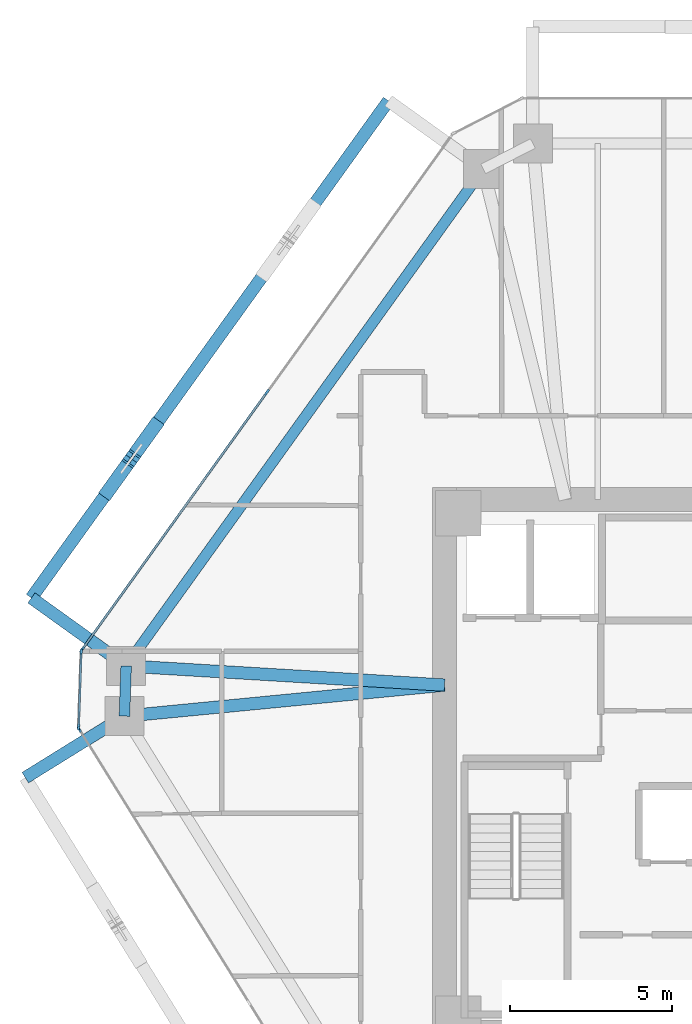
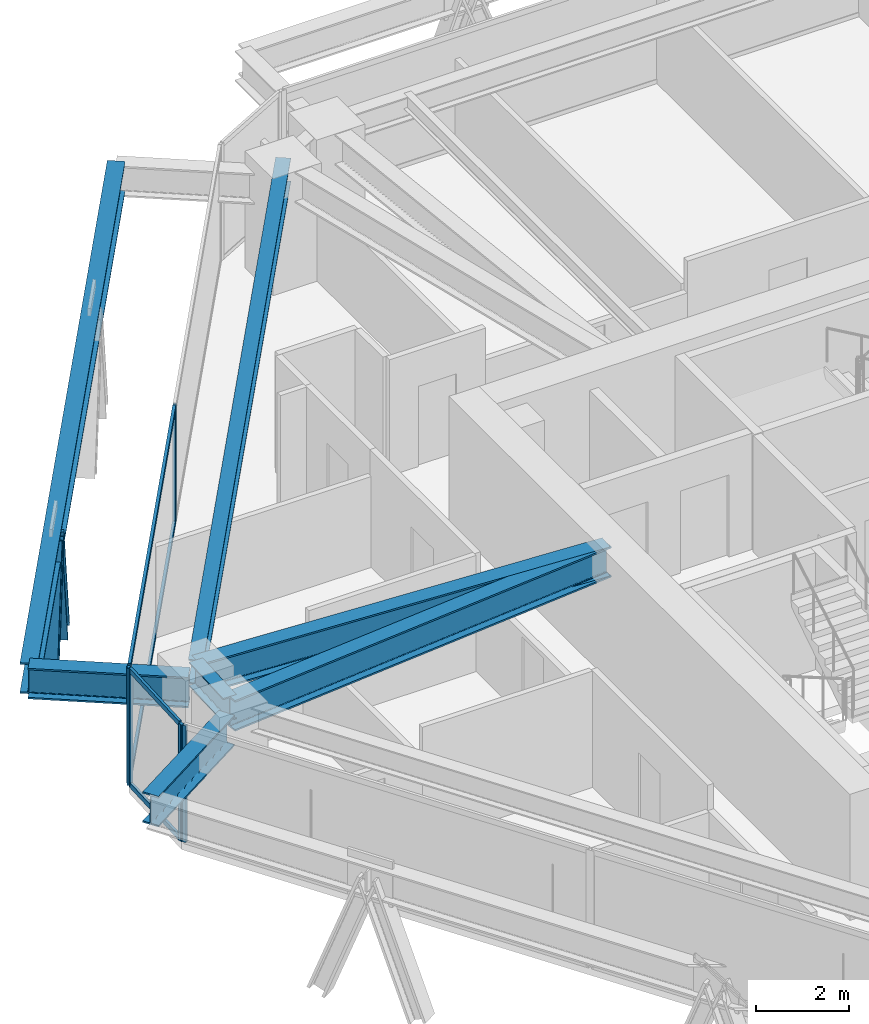
# One storey, part 4 of 16: 11 members, 7 beams, 3 elements without a shape of their own.
"""IFC4 building model written with IfcOpenShell, lengths in metres."""

import ifcopenshell
import ifcopenshell.guid

model = None  # the IFC model being written
_history = None  # IfcOwnerHistory: only IFC2X3 demands one
_inside = {}  # id of a spatial element -> (the spatial element, [elements in it])
_under = {}  # id of a project, library or spatial element -> (it, [spatial elements below it])
_declared = {}  # id of a project -> (the project, [libraries it declares])
_typed = {}  # id of a type object -> (the type object, [elements of that type])
_made_of = {}  # id of a material, layer set ... -> (it, [elements and type objects made of it])


def new_model(schema):
    """Start an empty IFC model of exactly this schema.

    Asked for "IFC4X3", IfcOpenShell would pick the latest addendum, in which some entities
    have other attributes; the version numbers below select the first issue.
    IFC2X3 requires an IfcOwnerHistory on every rooted entity: one is made here for all.
    """
    global model, _history
    if schema == "IFC4X3":
        model = ifcopenshell.file(schema_version=(4, 3, 0, 0))
    else:
        model = ifcopenshell.file(schema=schema)
    _inside.clear()
    _under.clear()
    _declared.clear()
    _typed.clear()
    _made_of.clear()
    _history = None
    if model.schema == "IFC2X3":
        org = make("IfcOrganization", Name="unknown")
        user = make(
            "IfcPersonAndOrganization",
            ThePerson=make("IfcPerson", FamilyName="unknown"),
            TheOrganization=org,
        )
        app = make(
            "IfcApplication",
            ApplicationDeveloper=org,
            Version="unknown",
            ApplicationFullName="unknown",
            ApplicationIdentifier="unknown",
        )
        _history = make(
            "IfcOwnerHistory",
            OwningUser=user,
            OwningApplication=app,
            ChangeAction="ADDED",
            CreationDate=0,
        )
    return model


def make(cls, **values):
    """One entity of the class cls with the attributes given. An attribute that is None is left unset."""
    return model.create_entity(
        cls, **{name: value for name, value in values.items() if value is not None}
    )


def rooted(cls, **values):
    """An entity with a GlobalId (a new one), such as an element, a storey or a relation."""
    return make(cls, GlobalId=ifcopenshell.guid.new(), OwnerHistory=_history, **values)


def si_unit(unit_type, name, prefix=None):
    """IfcSIUnit, for example si_unit("LENGTHUNIT", "METRE", prefix="MILLI")."""
    return make("IfcSIUnit", UnitType=unit_type, Prefix=prefix, Name=name)


def assignment(units):
    """IfcUnitAssignment: the units of a project."""
    return None if units is None else make("IfcUnitAssignment", Units=units)


def point(xyz):
    """IfcCartesianPoint."""
    return None if xyz is None else make("IfcCartesianPoint", Coordinates=xyz)


def direction(xyz):
    """IfcDirection."""
    return None if xyz is None else make("IfcDirection", DirectionRatios=xyz)


def frame(location, z_axis=None, x_axis=None):
    """IfcAxis2Placement3D, a coordinate frame: its origin and axes. An axis left out is left unset."""
    return make(
        "IfcAxis2Placement3D",
        Location=point(location),
        Axis=direction(z_axis),
        RefDirection=direction(x_axis),
    )


def frame_2d(location, x_axis=None):
    """IfcAxis2Placement2D, a coordinate frame in the plane: its origin and x axis."""
    return make(
        "IfcAxis2Placement2D", Location=point(location), RefDirection=direction(x_axis)
    )


def origin():
    """The frame at (0, 0, 0) with its axes left unset."""
    return frame((0.0, 0.0, 0.0))


def origin_2d():
    """The frame at (0, 0) in the plane with its x axis left unset."""
    return frame_2d((0.0, 0.0))


def place(relative_to, where):
    """IfcLocalPlacement: puts the frame where relative to a parent placement (None: the world)."""
    return make(
        "IfcLocalPlacement", PlacementRelTo=relative_to, RelativePlacement=where
    )


def context(
    kind, dimensions, precision=None, world=None, true_north=None, identifier=None
):
    """IfcGeometricRepresentationContext, for example the 3D "Model" context."""
    return make(
        "IfcGeometricRepresentationContext",
        ContextIdentifier=identifier,
        ContextType=kind,
        CoordinateSpaceDimension=dimensions,
        Precision=precision,
        WorldCoordinateSystem=world,
        TrueNorth=true_north,
    )


def subcontext(parent, identifier, kind, view, scale=None):
    """IfcGeometricRepresentationSubContext, for example "Body" below "Model"."""
    return make(
        "IfcGeometricRepresentationSubContext",
        ContextIdentifier=identifier,
        ContextType=kind,
        ParentContext=parent,
        TargetScale=scale,
        TargetView=view,
    )


def project(units=None, contexts=None):
    """IfcProject with its units and contexts."""
    return rooted(
        "IfcProject",
        Name="project",
        RepresentationContexts=contexts,
        UnitsInContext=assignment(units),
    )


def spatial(cls, under=None, at=None, **own):
    """A site, building, storey or space (cls), placed at a placement, below another one or the project."""
    s = rooted(cls, ObjectPlacement=at, **own)
    if under is not None:
        _under.setdefault(under.id(), (under, []))[1].append(s)
    return s


def profile(cls, at=None, kind="AREA", **sizes):
    """A parametric profile (cls). Its sizes go by their IFC names, for example OverallWidth=200.0."""
    return make(cls, ProfileType=kind, Position=at, **sizes)


def rectangle(**sizes):
    """IfcRectangleProfileDef."""
    return profile("IfcRectangleProfileDef", **sizes)


def i_section(**sizes):
    """IfcIShapeProfileDef."""
    return profile("IfcIShapeProfileDef", **sizes)


def extrude(swept, where, along, depth):
    """IfcExtrudedAreaSolid: the profile swept, set in the frame where, extruded along a direction by depth."""
    return make(
        "IfcExtrudedAreaSolid",
        SweptArea=swept,
        Position=where,
        ExtrudedDirection=direction(along),
        Depth=depth,
    )


def shape(context_of_items, identifier, shape_type, items):
    """IfcShapeRepresentation: the items that make up one representation, for example the "Body"."""
    return make(
        "IfcShapeRepresentation",
        ContextOfItems=context_of_items,
        RepresentationIdentifier=identifier,
        RepresentationType=shape_type,
        Items=items,
    )


def source(mapping_origin, context_of_items, identifier, shape_type, items):
    """IfcRepresentationMap: a shape defined once, which mapped items show again and again."""
    return make(
        "IfcRepresentationMap",
        MappingOrigin=mapping_origin,
        MappedRepresentation=shape(context_of_items, identifier, shape_type, items),
    )


def transform(
    local_origin,
    x_axis=None,
    y_axis=None,
    z_axis=None,
    scale=None,
    scale2=None,
    scale3=None,
    uniform=True,
):
    """IfcCartesianTransformationOperator3D, or its non-uniform kind. x_axis, y_axis, z_axis: its Axis1, 2, 3."""
    if uniform:
        return make(
            "IfcCartesianTransformationOperator3D",
            Axis1=direction(x_axis),
            Axis2=direction(y_axis),
            LocalOrigin=point(local_origin),
            Scale=scale,
            Axis3=direction(z_axis),
        )
    return make(
        "IfcCartesianTransformationOperator3DnonUniform",
        Axis1=direction(x_axis),
        Axis2=direction(y_axis),
        LocalOrigin=point(local_origin),
        Scale=scale,
        Axis3=direction(z_axis),
        Scale2=scale2,
        Scale3=scale3,
    )


def mapped(mapping_source, mapping_target):
    """IfcMappedItem: shows the shape of a source again, moved by a transform."""
    return make(
        "IfcMappedItem", MappingSource=mapping_source, MappingTarget=mapping_target
    )


def material(Name=None, Category=None):
    """IfcMaterial."""
    return make("IfcMaterial", Name=Name, Category=Category)


def layer(
    of_material, thickness, ventilated=None, Name=None, Category=None, Priority=None
):
    """IfcMaterialLayer: one layer of a wall or slab, of a material (None: an air gap)."""
    return make(
        "IfcMaterialLayer",
        Material=of_material,
        LayerThickness=thickness,
        IsVentilated=ventilated,
        Name=Name,
        Category=Category,
        Priority=Priority,
    )


def layer_set(layers, Name=None):
    """IfcMaterialLayerSet."""
    return make("IfcMaterialLayerSet", MaterialLayers=layers, LayerSetName=Name)


def material_profile(
    of_material, cross_section, Name=None, Category=None, Priority=None
):
    """IfcMaterialProfile: a cross section and its material."""
    return make(
        "IfcMaterialProfile",
        Name=Name,
        Material=of_material,
        Profile=cross_section,
        Priority=Priority,
        Category=Category,
    )


def profile_set(profiles, Name=None, composite=None):
    """IfcMaterialProfileSet."""
    return make(
        "IfcMaterialProfileSet",
        Name=Name,
        MaterialProfiles=profiles,
        CompositeProfile=composite,
    )


def made_of(thing, what):
    """Note that an element or type object is made of a material, layer set ...; save() writes the relation."""
    if what is not None:
        _made_of.setdefault(what.id(), (what, []))[1].append(thing)
    return thing


def type_object(cls, material=None, **own):
    """A type object (cls), such as IfcWallType, which elements share."""
    return made_of(rooted(cls, **own), material)


def type_shapes(of_type, sources):
    """Give a type object the sources (RepresentationMaps) that its elements show as mapped items."""
    of_type.RepresentationMaps = sources


def element(
    cls,
    number,
    at=None,
    inside=None,
    cuts=None,
    type_object=None,
    material=None,
    context=None,
    identifier="Body",
    shape_type=None,
    held_by="IfcProductDefinitionShape",
    body=None,
    shapes=None,
    **own,
):
    """One element of the class cls, such as IfcWall. Its Tag is "e" and its number.

    at: its placement. inside: the storey or other place that contains it. cuts: it is an
    opening in that element (IfcRelVoidsElement). A single representation is given by context,
    identifier, shape_type and body (its items); several are given by shapes. held_by: the class
    of the entity that holds the representations. save() writes the other relations.
    """
    e = rooted(cls, Tag="e%d" % number, ObjectPlacement=at, **own)
    if body is not None:
        shapes = [shape(context, identifier, shape_type, body)]
    if shapes is not None:
        e.Representation = make(held_by, Representations=shapes)
    if inside is not None:
        _inside.setdefault(inside.id(), (inside, []))[1].append(e)
    if cuts is not None:
        rooted(
            "IfcRelVoidsElement", RelatingBuildingElement=cuts, RelatedOpeningElement=e
        )
    if type_object is not None:
        _typed.setdefault(type_object.id(), (type_object, []))[1].append(e)
    return made_of(e, material)


def aggregate(whole, parts):
    """IfcRelAggregates: a whole, such as a stair, and the parts it consists of."""
    return rooted("IfcRelAggregates", RelatingObject=whole, RelatedObjects=parts)


def save(model, path):
    """Write the relations noted so far, then the file.

    IfcRelAggregates (storeys below a building ...), IfcRelContainedInSpatialStructure (elements
    in a storey), IfcRelDefinesByType, IfcRelAssociatesMaterial and IfcRelDeclares: one each for
    every whole, place, type object, material and project.
    """
    for whole, parts in _under.values():
        aggregate(whole, parts)
    for where, things in _inside.values():
        rooted(
            "IfcRelContainedInSpatialStructure",
            RelatedElements=things,
            RelatingStructure=where,
        )
    for kind, things in _typed.values():
        rooted("IfcRelDefinesByType", RelatedObjects=things, RelatingType=kind)
    for what, things in _made_of.values():
        rooted("IfcRelAssociatesMaterial", RelatedObjects=things, RelatingMaterial=what)
    for by, libraries in _declared.values():
        rooted("IfcRelDeclares", RelatingContext=by, RelatedDefinitions=libraries)
    model.write(path)


model = new_model("IFC4")

# Units and contexts
model_context = context("Model", 3, precision=1e-05, world=origin(), true_north=direction((0.0, 1.0)))
body_context = subcontext(model_context, "Body", "Model", "MODEL_VIEW")
ifc_project = project(units=[si_unit("LENGTHUNIT", "METRE"), si_unit("AREAUNIT", "SQUARE_METRE"), si_unit("VOLUMEUNIT", "CUBIC_METRE"), si_unit("PLANEANGLEUNIT", "RADIAN"), si_unit("MASSUNIT", "GRAM", prefix="KILO")], contexts=[model_context])

# Site, building, storey
site_placement = place(None, origin())
site = spatial("IfcSite", under=ifc_project, at=site_placement, CompositionType="ELEMENT")
building_placement = place(site_placement, origin())
building = spatial("IfcBuilding", under=site, at=building_placement, Name="Durnholm Broadcast Tower", CompositionType="ELEMENT")
storey_placement = place(building_placement, frame((0.0, 0.0, 130.5)))
storey = spatial("IfcBuildingStorey", under=building, at=storey_placement, Name="L35", CompositionType="ELEMENT", Elevation=130.5)

# Beams
ifc_material_1 = material(Name="Steel ASTM A992 Grade 50", Category="steel")
ifc_material_profile_1 = material_profile(ifc_material_1, i_section(OverallWidth=0.385009765625, OverallDepth=0.802978515625, WebThickness=0.023681640625, FlangeThickness=0.0419921875, FilletRadius=0.032958984375, at=origin_2d()), Name="W30X261")
ifc_profile_set_1 = profile_set([ifc_material_profile_1], Name="Steel ASTM A992 Grade 50")
beam_type_1 = type_object("IfcBeamType", Name="BM-EXO-TIE", PredefinedType="USERDEFINED", material=ifc_profile_set_1)
shared_shape_1 = source(origin(), body_context, "Body", "SweptSolid", [
    extrude(i_section(OverallWidth=0.385009765625, OverallDepth=0.802978515625, WebThickness=0.023681640625, FlangeThickness=0.0419921875, FilletRadius=0.032958984375, at=origin_2d()), origin(), (0.0, 0.0, 1.0), 3.4560546875),
])
for number, where, z_axis, x_axis, name in (
    (1, (-20.1669921875, 3.175048828125, 2.30859375), (-0.812164951739, 0.583427880005, 0.0), (-0.583427880005, -0.812164951739, 0.0), "L35 exoskeleton stand-off tie bracket F5.2"),
    (2, (-20.22509765625, 1.465576171875, 2.30859375), (-0.849795112316, -0.527113144481, 0.0), (0.527113144481, -0.849795112316, 0.0), "L35 exoskeleton stand-off tie bracket F6.1"),
):
    element("IfcBeam", number, at=place(storey_placement, frame(where, z_axis=z_axis, x_axis=x_axis)), inside=storey, type_object=beam_type_1, Name=name, ObjectType="GIRDER", PredefinedType="USERDEFINED", context=body_context, shape_type="MappedRepresentation", body=[
        mapped(shared_shape_1, transform((0.0, 0.0, 0.0), x_axis=(1.0, 0.0, 0.0), y_axis=(0.0, 1.0, 0.0), z_axis=(0.0, 0.0, 1.0), scale=1.0)),
    ])
ifc_material_profile_2 = material_profile(ifc_material_1, i_section(OverallWidth=0.3291015625, OverallDepth=0.635009765625, WebThickness=0.017822265625, FlangeThickness=0.031005859375, FilletRadius=0.02783203125, at=origin_2d()), Name="W24X162")
ifc_profile_set_2 = profile_set([ifc_material_profile_2], Name="Steel ASTM A992 Grade 50")
beam_type_2 = type_object("IfcBeamType", Name="STL-SP-W24X162", PredefinedType="SPANDREL", material=ifc_profile_set_2)
shared_shape_2 = source(origin(), body_context, "Body", "SweptSolid", [
    extrude(i_section(OverallWidth=0.3291015625, OverallDepth=0.635009765625, WebThickness=0.017822265625, FlangeThickness=0.031005859375, FilletRadius=0.02783203125, at=origin_2d()), origin(), (0.0, 0.0, 1.0), 1.550537109375),
])
beam_1_placement = place(storey_placement, frame((-20.102783203125, 1.54150390625, 2.7275390625), z_axis=(0.034012135923, 0.999421419928, 0.0), x_axis=(-0.999421419928, 0.034012135923, 0.0)))
element("IfcBeam", 3, at=beam_1_placement, inside=storey, type_object=beam_type_2, Name="L35 perimeter spandrel girder 02", PredefinedType="SPANDREL", context=body_context, shape_type="MappedRepresentation", body=[
    mapped(shared_shape_2, transform((0.0, 0.0, 0.0), x_axis=(1.0, 0.0, 0.0), y_axis=(0.0, 1.0, 0.0), z_axis=(0.0, 0.0, 1.0), scale=1.0)),
])
shared_shape_3 = source(origin(), body_context, "Body", "SweptSolid", [
    extrude(i_section(OverallWidth=0.3291015625, OverallDepth=0.635009765625, WebThickness=0.017822265625, FlangeThickness=0.031005859375, FilletRadius=0.02783203125, at=origin_2d()), origin(), (0.0, 0.0, 1.0), 18.884521484375),
])
type_shapes(beam_type_2, [shared_shape_2, shared_shape_3])
beam_2_placement = place(storey_placement, frame((-20.050048828125, 3.091064453125, 2.7275390625), z_axis=(0.583443434414, 0.812153777827, 0.0), x_axis=(-0.812153777827, 0.583443434414, 0.0)))
element("IfcBeam", 4, at=beam_2_placement, inside=storey, type_object=beam_type_2, Name="L35 perimeter spandrel girder 03", PredefinedType="SPANDREL", context=body_context, shape_type="MappedRepresentation", body=[
    mapped(shared_shape_3, transform((0.0, 0.0, 0.0), x_axis=(1.0, 0.0, 0.0), y_axis=(0.0, 1.0, 0.0), z_axis=(0.0, 0.0, 1.0), scale=1.0)),
])
ifc_material_profile_3 = material_profile(ifc_material_1, i_section(OverallWidth=0.385009765625, OverallDepth=0.802978515625, WebThickness=0.023681640625, FlangeThickness=0.0419921875, FilletRadius=0.032958984375, at=origin_2d()), Name="W30X261")
ifc_profile_set_3 = profile_set([ifc_material_profile_3], Name="Steel ASTM A992 Grade 50")
beam_type_3 = type_object("IfcBeamType", Name="STL-GR-W30X261", PredefinedType="USERDEFINED", material=ifc_profile_set_3)
shared_shape_4 = source(origin(), body_context, "Body", "SweptSolid", [
    extrude(i_section(OverallWidth=0.385009765625, OverallDepth=0.802978515625, WebThickness=0.023681640625, FlangeThickness=0.0419921875, FilletRadius=0.032958984375, at=origin_2d()), origin(), (0.0, 0.0, 1.0), 9.924072265625),
])
beam_3_placement = place(storey_placement, frame((-10.22509765625, 2.5, 2.6435546875), z_axis=(-0.995324947968, -0.096582855378, 0.0), x_axis=(0.096582855378, -0.995324947968, 0.0)))
element("IfcBeam", 5, at=beam_3_placement, inside=storey, type_object=beam_type_3, Name="L35 radial primary floor girder 02", ObjectType="GIRDER", PredefinedType="USERDEFINED", context=body_context, shape_type="MappedRepresentation", body=[
    mapped(shared_shape_4, transform((0.0, 0.0, 0.0), x_axis=(1.0, 0.0, 0.0), y_axis=(0.0, 1.0, 0.0), z_axis=(0.0, 0.0, 1.0), scale=1.0)),
])
shared_shape_5 = source(origin(), body_context, "Body", "SweptSolid", [
    extrude(i_section(OverallWidth=0.385009765625, OverallDepth=0.802978515625, WebThickness=0.023681640625, FlangeThickness=0.0419921875, FilletRadius=0.032958984375, at=origin_2d()), origin(), (0.0, 0.0, 1.0), 9.8427734375),
])
type_shapes(beam_type_3, [shared_shape_4, shared_shape_5])
beam_4_placement = place(storey_placement, frame((-10.22509765625, 2.5, 2.6435546875), z_axis=(-0.998195312551, 0.0600509617, 0.0), x_axis=(-0.0600509617, -0.998195312551, 0.0)))
element("IfcBeam", 6, at=beam_4_placement, inside=storey, type_object=beam_type_3, Name="L35 radial primary floor girder 03", ObjectType="GIRDER", PredefinedType="USERDEFINED", context=body_context, shape_type="MappedRepresentation", body=[
    mapped(shared_shape_5, transform((0.0, 0.0, 0.0), x_axis=(1.0, 0.0, 0.0), y_axis=(0.0, 1.0, 0.0), z_axis=(0.0, 0.0, 1.0), scale=1.0)),
])
shared_shape_6 = source(origin(), body_context, "Body", "SweptSolid", [
    extrude(i_section(OverallWidth=0.385009765625, OverallDepth=0.802978515625, WebThickness=0.023681640625, FlangeThickness=0.0419921875, FilletRadius=0.032958984375, at=origin_2d()), origin(), (0.0, 0.0, 1.0), 18.884765625),
])
type_shapes(beam_type_1, [shared_shape_1, shared_shape_6])
beam_5_placement = place(storey_placement, frame((-11.955810546875, 20.52880859375, 2.30859375), z_axis=(-0.583437308554, -0.812158178551, 0.0), x_axis=(0.812158178551, -0.583437308554, 0.0)))
element("IfcBeam", 7, at=beam_5_placement, inside=storey, type_object=beam_type_1, Name="L35 exoskeleton collector spandrel F5", PredefinedType="SPANDREL", context=body_context, shape_type="MappedRepresentation", body=[
    mapped(shared_shape_6, transform((0.0, 0.0, 0.0), x_axis=(1.0, 0.0, 0.0), y_axis=(0.0, 1.0, 0.0), z_axis=(0.0, 0.0, 1.0), scale=1.0)),
])

# Members
ifc_material_2 = material(Name="Steel ASTM A913 Grade 65", Category="steel")
ifc_material_profile_4 = material_profile(ifc_material_2, i_section(OverallWidth=0.41845703125, OverallDepth=0.455078125, WebThickness=0.0419921875, FlangeThickness=0.067626953125, FilletRadius=0.030517578125, at=origin_2d()), Name="W14X370")
ifc_profile_set_4 = profile_set([ifc_material_profile_4], Name="Steel ASTM A913 Grade 65")
member_type_1 = type_object("IfcMemberType", Name="STL-DG-W14X370", PredefinedType="BRACE", material=ifc_profile_set_4)
shared_shape_7 = source(origin(), body_context, "Body", "SweptSolid", [
    extrude(i_section(OverallWidth=0.41845703125, OverallDepth=0.455078125, WebThickness=0.0419921875, FlangeThickness=0.067626953125, FilletRadius=0.030517578125, at=origin_2d()), origin(), (0.0, 0.0, 1.0), 3.523193359375),
])
type_shapes(member_type_1, [shared_shape_7])
for number, where, z_axis, x_axis, name in (
    (8, (-19.1689453125, 10.488037109375, -0.991455078125), (-0.204350195342, -0.284454917557, 0.936657033039), (0.812153063014, -0.583444429434, 0.0), "L35 stand-off diagrid brace F5.D2.1"),
    (9, (-20.608642578125, 8.48388671875, -0.991455078125), (0.204287819296, 0.284395254542, 0.936688756248), (-0.812179469647, 0.583407669717, 0.0), "L35 stand-off diagrid brace F5.D2.2"),
):
    element("IfcMember", number, at=place(storey_placement, frame(where, z_axis=z_axis, x_axis=x_axis)), inside=storey, type_object=member_type_1, Name=name, PredefinedType="BRACE", context=body_context, shape_type="MappedRepresentation", body=[
        mapped(shared_shape_7, transform((0.0, 0.0, 0.0), x_axis=(1.0, 0.0, 0.0), y_axis=(0.0, 1.0, 0.0), z_axis=(0.0, 0.0, 1.0), scale=1.0)),
    ])

# Curtain wall, members
ifc_material_3 = material(Name="Aluminium and Solar Control IGU", Category="aluminium")
ifc_layer_1 = layer(ifc_material_3, 0.1650390625)
ifc_layer_set_1 = layer_set([ifc_layer_1], Name="Aluminium and Solar Control IGU")
curtain_wall_type_1 = type_object("IfcCurtainWallType", Name="CW-SYS-5", PredefinedType="NOTDEFINED", material=ifc_layer_set_1)
curtain_wall_1_placement = place(storey_placement, origin())
curtain_wall_1 = element("IfcCurtainWall", 10, at=curtain_wall_1_placement, inside=storey, type_object=curtain_wall_type_1, Name="L35 curtain wall CW-CORNER CW-L35-CRN-01", PredefinedType="NOTDEFINED")
ifc_material_4 = material(Name="Aluminium 6063-T6", Category="aluminium")
ifc_material_profile_5 = material_profile(ifc_material_4, rectangle(XDim=0.06494140625, YDim=0.1650390625, at=origin_2d()), Name="CWM65X165")
ifc_profile_set_5 = profile_set([ifc_material_profile_5], Name="Aluminium 6063-T6")
member_type_2 = type_object("IfcMemberType", Name="CW-SYS-5-MUL", PredefinedType="MULLION", material=ifc_profile_set_5)
shared_shape_8 = source(origin(), body_context, "Body", "SweptSolid", [
    extrude(rectangle(XDim=0.06494140625, YDim=0.1650390625, at=origin_2d()), origin(), (0.0, 0.0, 1.0), 3.06005859375),
])
type_shapes(member_type_2, [shared_shape_8])
member_1_placement = place(storey_placement, frame((-21.51513671875, 1.19677734375, 0.0), z_axis=(0.0, 0.0, 1.0), x_axis=(-0.999424655155, 0.033916937775, 0.0)))
member_1 = element("IfcMember", 11, at=member_1_placement, type_object=member_type_2, Name="CW-CORNER mullion 1", PredefinedType="MULLION", context=body_context, shape_type="MappedRepresentation", body=[
    mapped(shared_shape_8, transform((0.0, 0.0, 0.0), x_axis=(1.0, 0.0, 0.0), y_axis=(0.0, 1.0, 0.0), z_axis=(0.0, 0.0, 1.0), scale=1.0)),
])
member_2_placement = place(storey_placement, frame((-21.43603515625, 3.530517578125, 0.0), z_axis=(0.0, 0.0, 1.0), x_axis=(-0.999424655155, 0.033916937775, 0.0)))
member_2 = element("IfcMember", 12, at=member_2_placement, type_object=member_type_2, Name="CW-CORNER mullion 2", PredefinedType="MULLION", context=body_context, shape_type="MappedRepresentation", body=[
    mapped(shared_shape_8, transform((0.0, 0.0, 0.0), x_axis=(1.0, 0.0, 0.0), y_axis=(0.0, 1.0, 0.0), z_axis=(0.0, 0.0, 1.0), scale=1.0)),
])

ifc_layer_2 = layer(ifc_material_3, 0.18994140625)
ifc_layer_set_2 = layer_set([ifc_layer_2], Name="Aluminium and Solar Control IGU")
curtain_wall_type_2 = type_object("IfcCurtainWallType", Name="CW-SYS-3", PredefinedType="NOTDEFINED", material=ifc_layer_set_2)
curtain_wall_2_placement = place(storey_placement, origin())
curtain_wall_2 = element("IfcCurtainWall", 13, at=curtain_wall_2_placement, inside=storey, type_object=curtain_wall_type_2, Name="L35 curtain wall CW-Z12-VIS CW-L35-F02", PredefinedType="NOTDEFINED")
ifc_material_profile_6 = material_profile(ifc_material_4, rectangle(XDim=0.070068359375, YDim=0.18994140625, at=origin_2d()), Name="CWM70X190")
ifc_profile_set_6 = profile_set([ifc_material_profile_6], Name="Aluminium 6063-T6")
member_type_3 = type_object("IfcMemberType", Name="CW-SYS-3-MUL", PredefinedType="MULLION", material=ifc_profile_set_6)
shared_shape_9 = source(origin(), body_context, "Body", "SweptSolid", [
    extrude(rectangle(XDim=0.070068359375, YDim=0.18994140625, at=origin_2d()), origin(), (0.0, 0.0, 1.0), 3.06005859375),
])
type_shapes(member_type_3, [shared_shape_9])
member_3_placement = place(storey_placement, frame((-21.41455078125, 3.59130859375, 0.0), z_axis=(0.0, 0.0, 1.0), x_axis=(-0.812152312759, 0.583445473786, 0.0)))
member_3 = element("IfcMember", 14, at=member_3_placement, type_object=member_type_3, Name="CW-Z12-VIS mullion 1", PredefinedType="MULLION", context=body_context, shape_type="MappedRepresentation", body=[
    mapped(shared_shape_9, transform((0.0, 0.0, 0.0), x_axis=(1.0, 0.0, 0.0), y_axis=(0.0, 1.0, 0.0), z_axis=(0.0, 0.0, 1.0), scale=1.0)),
])
member_4_placement = place(storey_placement, frame((-15.703369140625, 11.541259765625, 0.0), z_axis=(0.0, 0.0, 1.0), x_axis=(-0.812152312759, 0.583445473786, 0.0)))
member_4 = element("IfcMember", 15, at=member_4_placement, type_object=member_type_3, Name="CW-Z12-VIS mullion 2", PredefinedType="MULLION", context=body_context, shape_type="MappedRepresentation", body=[
    mapped(shared_shape_9, transform((0.0, 0.0, 0.0), x_axis=(1.0, 0.0, 0.0), y_axis=(0.0, 1.0, 0.0), z_axis=(0.0, 0.0, 1.0), scale=1.0)),
])

# Curtain wall, member
curtain_wall_3_placement = place(storey_placement, origin())
curtain_wall_3 = element("IfcCurtainWall", 16, at=curtain_wall_3_placement, inside=storey, type_object=curtain_wall_type_2, Name="L35 curtain wall CW-Z12-VIS CW-L35-F12", PredefinedType="NOTDEFINED")
member_5_placement = place(storey_placement, frame((-21.497802734375, 1.134765625, 0.0), z_axis=(0.0, 0.0, 1.0), x_axis=(-0.849799925229, -0.527105385176, 0.0)))
member_5 = element("IfcMember", 17, at=member_5_placement, type_object=member_type_3, Name="CW-Z12-VIS mullion 3", PredefinedType="MULLION", context=body_context, shape_type="MappedRepresentation", body=[
    mapped(shared_shape_9, transform((0.0, 0.0, 0.0), x_axis=(1.0, 0.0, 0.0), y_axis=(0.0, 1.0, 0.0), z_axis=(0.0, 0.0, 1.0), scale=1.0)),
])
aggregate(curtain_wall_3, [member_5])

# Member
ifc_material_profile_7 = material_profile(ifc_material_4, rectangle(XDim=0.06494140625, YDim=0.1298828125, at=origin_2d()), Name="CWT65X130")
ifc_profile_set_7 = profile_set([ifc_material_profile_7], Name="Aluminium 6063-T6")
member_type_4 = type_object("IfcMemberType", Name="CW-SYS-5-TRN", PredefinedType="USERDEFINED", material=ifc_profile_set_7)
shared_shape_10 = source(origin(), body_context, "Body", "SweptSolid", [
    extrude(rectangle(XDim=0.06494140625, YDim=0.1298828125, at=origin_2d()), origin(), (0.0, 0.0, 1.0), 2.27001953125),
])
type_shapes(member_type_4, [shared_shape_10])
member_6_placement = place(storey_placement, frame((-21.51416015625, 1.229248046875, 0.032470703125), z_axis=(0.03398444704, 0.999422361847, 0.0), x_axis=(-0.999422361847, 0.03398444704, 0.0)))
member_6 = element("IfcMember", 18, at=member_6_placement, type_object=member_type_4, Name="CW-CORNER transom 1.1", ObjectType="TRANSOM", PredefinedType="USERDEFINED", context=body_context, shape_type="MappedRepresentation", body=[
    mapped(shared_shape_10, transform((0.0, 0.0, 0.0), x_axis=(1.0, 0.0, 0.0), y_axis=(0.0, 1.0, 0.0), z_axis=(0.0, 0.0, 1.0), scale=1.0)),
])

member_7_placement = place(storey_placement, frame((-21.51416015625, 1.229248046875, 3.027587890625), z_axis=(0.03398444704, 0.999422361847, 0.0), x_axis=(-0.999422361847, 0.03398444704, 0.0)))
member_7 = element("IfcMember", 19, at=member_7_placement, type_object=member_type_4, Name="CW-CORNER transom 1.2", ObjectType="TRANSOM", PredefinedType="USERDEFINED", context=body_context, shape_type="MappedRepresentation", body=[
    mapped(shared_shape_10, transform((0.0, 0.0, 0.0), x_axis=(1.0, 0.0, 0.0), y_axis=(0.0, 1.0, 0.0), z_axis=(0.0, 0.0, 1.0), scale=1.0)),
])

aggregate(curtain_wall_1, [member_1, member_2, member_6, member_7])

ifc_material_profile_8 = material_profile(ifc_material_4, rectangle(XDim=0.070068359375, YDim=0.14990234375, at=origin_2d()), Name="CWT70X150")
ifc_profile_set_8 = profile_set([ifc_material_profile_8], Name="Aluminium 6063-T6")
member_type_5 = type_object("IfcMemberType", Name="CW-SYS-3-TRN", PredefinedType="USERDEFINED", material=ifc_profile_set_8)
shared_shape_11 = source(origin(), body_context, "Body", "SweptSolid", [
    extrude(rectangle(XDim=0.070068359375, YDim=0.14990234375, at=origin_2d()), origin(), (0.0, 0.0, 1.0), 9.71875),
])
type_shapes(member_type_5, [shared_shape_11])
member_8_placement = place(storey_placement, frame((-21.39404296875, 3.619873046875, 0.034912109375), z_axis=(0.583450726174, 0.812148539448, 0.0), x_axis=(-0.812148539448, 0.583450726174, 0.0)))
member_8 = element("IfcMember", 20, at=member_8_placement, type_object=member_type_5, Name="CW-Z12-VIS transom 1.1", ObjectType="TRANSOM", PredefinedType="USERDEFINED", context=body_context, shape_type="MappedRepresentation", body=[
    mapped(shared_shape_11, transform((0.0, 0.0, 0.0), x_axis=(1.0, 0.0, 0.0), y_axis=(0.0, 1.0, 0.0), z_axis=(0.0, 0.0, 1.0), scale=1.0)),
])

member_9_placement = place(storey_placement, frame((-21.39404296875, 3.619873046875, 3.02490234375), z_axis=(0.583450726174, 0.812148539448, 0.0), x_axis=(-0.812148539448, 0.583450726174, 0.0)))
member_9 = element("IfcMember", 21, at=member_9_placement, type_object=member_type_5, Name="CW-Z12-VIS transom 1.2", ObjectType="TRANSOM", PredefinedType="USERDEFINED", context=body_context, shape_type="MappedRepresentation", body=[
    mapped(shared_shape_11, transform((0.0, 0.0, 0.0), x_axis=(1.0, 0.0, 0.0), y_axis=(0.0, 1.0, 0.0), z_axis=(0.0, 0.0, 1.0), scale=1.0)),
])

aggregate(curtain_wall_2, [member_3, member_4, member_8, member_9])

save(model, "model.ifc")
